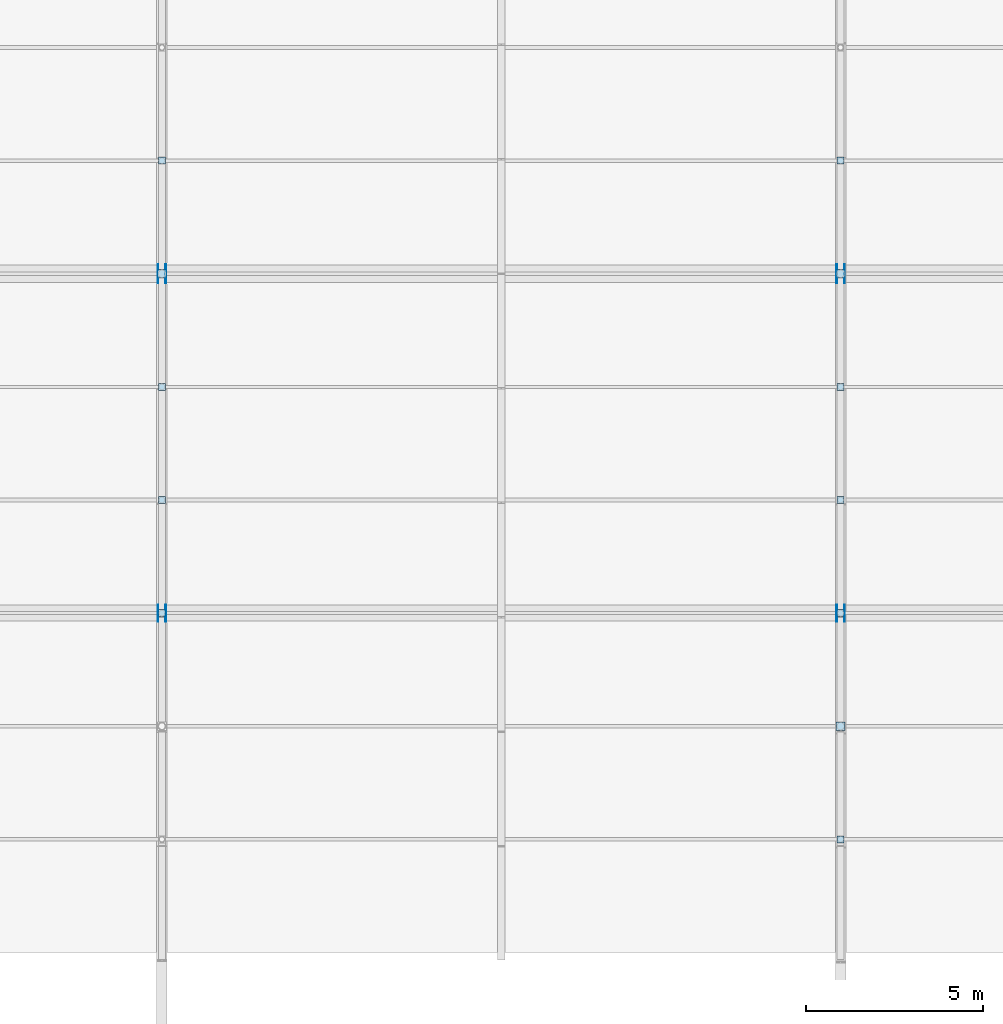
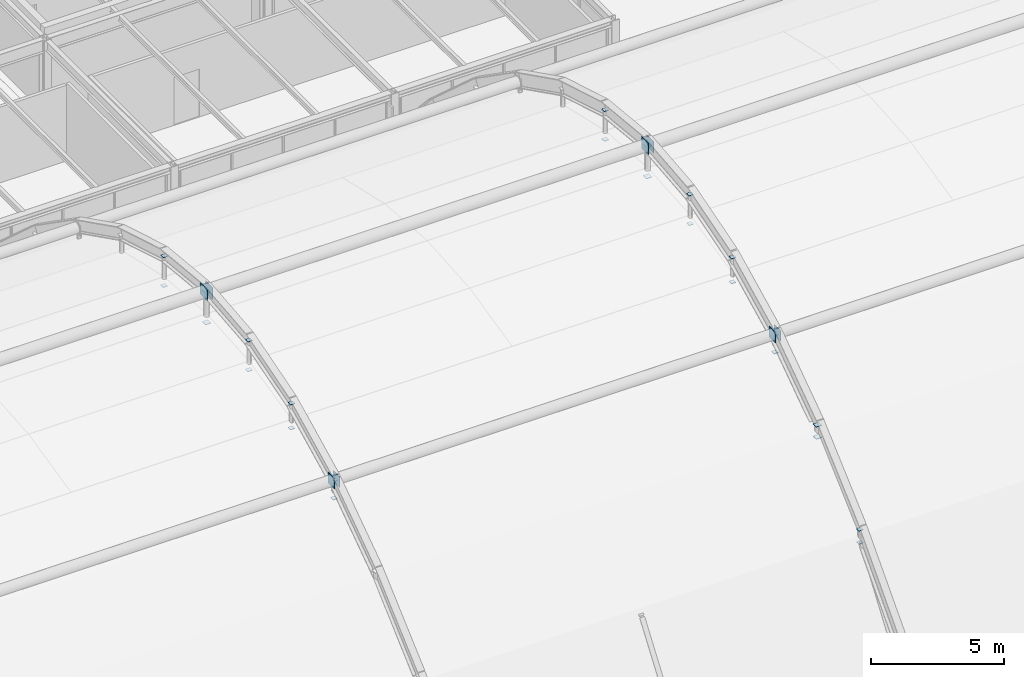
# One storey, part 112 of 126: 32 plates.
"""IFC4 building model written with IfcOpenShell, lengths in metres."""

from ifc_helpers import new_model, si_unit, direction, frame, origin, origin_2d, place, context, subcontext, project, spatial, rectangle, extrude, material, layer, layer_set, type_object, element, save


model = new_model("IFC4")

# Units and contexts
model_context = context("Model", 3, precision=1e-05, world=origin(), true_north=direction((0.0, 1.0)))
body_context = subcontext(model_context, "Body", "Model", "MODEL_VIEW")
ifc_project = project(units=[si_unit("LENGTHUNIT", "METRE"), si_unit("AREAUNIT", "SQUARE_METRE"), si_unit("VOLUMEUNIT", "CUBIC_METRE"), si_unit("PLANEANGLEUNIT", "RADIAN"), si_unit("MASSUNIT", "GRAM", prefix="KILO")], contexts=[model_context])

# Site, building, storey
site_placement = place(None, origin())
site = spatial("IfcSite", under=ifc_project, at=site_placement, CompositionType="ELEMENT")
building_placement = place(site_placement, origin())
building = spatial("IfcBuilding", under=site, at=building_placement, Name="Coralgate Yard Interchange", CompositionType="ELEMENT")
storey_placement = place(building_placement, frame((0.0, 0.0, 10.5)))
storey = spatial("IfcBuildingStorey", under=building, at=storey_placement, Name="L02", CompositionType="ELEMENT", Elevation=10.5)

# Plates
ifc_material = material(Name="Yellow-ochre weather-coated structural steel S355J2", Category="steel")
ifc_layer = layer(ifc_material, 0.02392578125)
ifc_layer_set = layer_set([ifc_layer], Name="Yellow-ochre weather-coated structural steel S355J2")
plate_type = type_object("IfcPlateType", Name="PLT-EP-24", PredefinedType="USERDEFINED", material=ifc_layer_set)
for number, where, z_axis, x_axis, name in (
    (1, (67.199951171875, 48.0, 10.22314453125), (0.0, 0.0, 1.0), (1.0, 0.0, 0.0), "Steel hollow section end cap plate CAP-HGR-2-03-T"),
    (2, (67.199951171875, 48.0, 9.41455078125), (0.0, 0.0, -1.0), (1.0, 0.0, 0.0), "Steel hollow section end cap plate CAP-HGR-2-03-B"),
    (3, (67.199951171875, 51.199951171875, 11.8203125), (0.0, 0.0, 1.0), (1.0, 0.0, 0.0), "Steel hollow section end cap plate CAP-HGR-2-04-T"),
    (4, (67.199951171875, 51.199951171875, 10.7021484375), (0.0, 0.0, -1.0), (1.0, 0.0, 0.0), "Steel hollow section end cap plate CAP-HGR-2-04-B"),
    (5, (67.199951171875, 54.39990234375, 12.778564453125), (0.0, 0.0, 1.0), (1.0, 0.0, 0.0), "Steel hollow section end cap plate CAP-HGR-2-05-T"),
    (6, (67.199951171875, 54.39990234375, 11.437255859375), (0.0, 0.0, -1.0), (1.0, 0.0, 0.0), "Steel hollow section end cap plate CAP-HGR-2-05-B"),
):
    element("IfcPlate", number, at=place(storey_placement, frame(where, z_axis=z_axis, x_axis=x_axis)), inside=storey, type_object=plate_type, Name=name, ObjectType="CAP PLATE", PredefinedType="USERDEFINED", context=body_context, shape_type="SweptSolid", body=[
        extrude(rectangle(XDim=0.197998046875, YDim=0.197998046875, at=origin_2d()), origin(), (0.0, 0.0, 1.0), 0.02392578125),
    ])
for number, where, z_axis, x_axis, name in (
    (7, (67.199951171875, 57.60009765625, 13.09814453125), (0.0, 0.0, 1.0), (1.0, 0.0, 0.0), "Steel hollow section end cap plate CAP-HGR-2-06-T"),
    (8, (67.199951171875, 57.60009765625, 11.6767578125), (0.0, 0.0, -1.0), (1.0, 0.0, 0.0), "Steel hollow section end cap plate CAP-HGR-2-06-B"),
):
    element("IfcPlate", number, at=place(storey_placement, frame(where, z_axis=z_axis, x_axis=x_axis)), inside=storey, type_object=plate_type, Name=name, ObjectType="CAP PLATE", PredefinedType="USERDEFINED", context=body_context, shape_type="SweptSolid", body=[
        extrude(rectangle(XDim=0.2490234375, YDim=0.2490234375, at=origin_2d()), origin(), (0.0, 0.0, 1.0), 0.02392578125),
    ])
for number, where, z_axis, x_axis, name in (
    (9, (67.199951171875, 60.800048828125, 12.778564453125), (0.0, 0.0, 1.0), (1.0, 0.0, 0.0), "Steel hollow section end cap plate CAP-HGR-2-07-T"),
    (10, (67.199951171875, 60.800048828125, 11.437255859375), (0.0, 0.0, -1.0), (1.0, 0.0, 0.0), "Steel hollow section end cap plate CAP-HGR-2-07-B"),
    (11, (86.39990234375, 41.60009765625, 5.11181640625), (0.0, 0.0, 1.0), (1.0, 0.0, 0.0), "Steel hollow section end cap plate CAP-HGR-3-01-T"),
    (12, (86.39990234375, 41.60009765625, 4.5380859375), (0.0, 0.0, -1.0), (1.0, 0.0, 0.0), "Steel hollow section end cap plate CAP-HGR-3-01-B"),
):
    element("IfcPlate", number, at=place(storey_placement, frame(where, z_axis=z_axis, x_axis=x_axis)), inside=storey, type_object=plate_type, Name=name, ObjectType="CAP PLATE", PredefinedType="USERDEFINED", context=body_context, shape_type="SweptSolid", body=[
        extrude(rectangle(XDim=0.197998046875, YDim=0.197998046875, at=origin_2d()), origin(), (0.0, 0.0, 1.0), 0.02392578125),
    ])
for number, where, z_axis, x_axis, name in (
    (13, (86.39990234375, 44.800048828125, 7.98681640625), (0.0, 0.0, 1.0), (1.0, 0.0, 0.0), "Steel hollow section end cap plate CAP-HGR-3-02-T"),
    (14, (86.39990234375, 44.800048828125, 7.451171875), (0.0, 0.0, -1.0), (1.0, 0.0, 0.0), "Steel hollow section end cap plate CAP-HGR-3-02-B"),
):
    element("IfcPlate", number, at=place(storey_placement, frame(where, z_axis=z_axis, x_axis=x_axis)), inside=storey, type_object=plate_type, Name=name, ObjectType="CAP PLATE", PredefinedType="USERDEFINED", context=body_context, shape_type="SweptSolid", body=[
        extrude(rectangle(XDim=0.2490234375, YDim=0.2490234375, at=origin_2d()), origin(), (0.0, 0.0, 1.0), 0.02392578125),
    ])
for number, where, z_axis, x_axis, name in (
    (15, (86.39990234375, 48.0, 10.22314453125), (0.0, 0.0, 1.0), (1.0, 0.0, 0.0), "Steel hollow section end cap plate CAP-HGR-3-03-T"),
    (16, (86.39990234375, 48.0, 9.41455078125), (0.0, 0.0, -1.0), (1.0, 0.0, 0.0), "Steel hollow section end cap plate CAP-HGR-3-03-B"),
    (17, (86.39990234375, 51.199951171875, 11.8203125), (0.0, 0.0, 1.0), (1.0, 0.0, 0.0), "Steel hollow section end cap plate CAP-HGR-3-04-T"),
    (18, (86.39990234375, 51.199951171875, 10.7021484375), (0.0, 0.0, -1.0), (1.0, 0.0, 0.0), "Steel hollow section end cap plate CAP-HGR-3-04-B"),
    (19, (86.39990234375, 54.39990234375, 12.778564453125), (0.0, 0.0, 1.0), (1.0, 0.0, 0.0), "Steel hollow section end cap plate CAP-HGR-3-05-T"),
    (20, (86.39990234375, 54.39990234375, 11.437255859375), (0.0, 0.0, -1.0), (1.0, 0.0, 0.0), "Steel hollow section end cap plate CAP-HGR-3-05-B"),
):
    element("IfcPlate", number, at=place(storey_placement, frame(where, z_axis=z_axis, x_axis=x_axis)), inside=storey, type_object=plate_type, Name=name, ObjectType="CAP PLATE", PredefinedType="USERDEFINED", context=body_context, shape_type="SweptSolid", body=[
        extrude(rectangle(XDim=0.197998046875, YDim=0.197998046875, at=origin_2d()), origin(), (0.0, 0.0, 1.0), 0.02392578125),
    ])
for number, where, z_axis, x_axis, name in (
    (21, (86.39990234375, 57.60009765625, 13.09814453125), (0.0, 0.0, 1.0), (1.0, 0.0, 0.0), "Steel hollow section end cap plate CAP-HGR-3-06-T"),
    (22, (86.39990234375, 57.60009765625, 11.6767578125), (0.0, 0.0, -1.0), (1.0, 0.0, 0.0), "Steel hollow section end cap plate CAP-HGR-3-06-B"),
):
    element("IfcPlate", number, at=place(storey_placement, frame(where, z_axis=z_axis, x_axis=x_axis)), inside=storey, type_object=plate_type, Name=name, ObjectType="CAP PLATE", PredefinedType="USERDEFINED", context=body_context, shape_type="SweptSolid", body=[
        extrude(rectangle(XDim=0.2490234375, YDim=0.2490234375, at=origin_2d()), origin(), (0.0, 0.0, 1.0), 0.02392578125),
    ])
for number, where, z_axis, x_axis, name in (
    (23, (86.39990234375, 60.800048828125, 12.778564453125), (0.0, 0.0, 1.0), (1.0, 0.0, 0.0), "Steel hollow section end cap plate CAP-HGR-3-07-T"),
    (24, (86.39990234375, 60.800048828125, 11.437255859375), (0.0, 0.0, -1.0), (1.0, 0.0, 0.0), "Steel hollow section end cap plate CAP-HGR-3-07-B"),
):
    element("IfcPlate", number, at=place(storey_placement, frame(where, z_axis=z_axis, x_axis=x_axis)), inside=storey, type_object=plate_type, Name=name, ObjectType="CAP PLATE", PredefinedType="USERDEFINED", context=body_context, shape_type="SweptSolid", body=[
        extrude(rectangle(XDim=0.197998046875, YDim=0.197998046875, at=origin_2d()), origin(), (0.0, 0.0, 1.0), 0.02392578125),
    ])
plate_1_placement = place(storey_placement, frame((67.078125, 57.60009765625, 13.1201171875), z_axis=(1.0, 0.0, 0.0), x_axis=(0.0, 1.0, 0.0)))
element("IfcPlate", 25, at=plate_1_placement, inside=storey, type_object=plate_type, Name="Steel hollow section end cap plate CAP-ATIE-1-C-1", ObjectType="CAP PLATE", PredefinedType="USERDEFINED", context=body_context, shape_type="SweptSolid", body=[
    extrude(rectangle(XDim=0.5380859375, YDim=0.5380859375, at=origin_2d()), origin(), (0.0, 0.0, 1.0), 0.02392578125),
])
plate_2_placement = place(storey_placement, frame((67.078125, 48.0, 10.25), z_axis=(1.0, 0.0, 0.0), x_axis=(0.0, 1.0, 0.0)))
element("IfcPlate", 26, at=plate_2_placement, inside=storey, type_object=plate_type, Name="Steel hollow section end cap plate CAP-ATIE-1-S-1", ObjectType="CAP PLATE", PredefinedType="USERDEFINED", context=body_context, shape_type="SweptSolid", body=[
    extrude(rectangle(XDim=0.487060546875, YDim=0.487060546875, at=origin_2d()), origin(), (0.0, 0.0, 1.0), 0.02392578125),
])
for number, where, z_axis, x_axis, name in (
    (27, (67.322021484375, 57.60009765625, 13.1201171875), (-1.0, 0.0, 0.0), (0.0, -1.0, 0.0), "Steel hollow section end cap plate CAP-ATIE-2-C-0"),
    (28, (86.278076171875, 57.60009765625, 13.1201171875), (1.0, 0.0, 0.0), (0.0, 1.0, 0.0), "Steel hollow section end cap plate CAP-ATIE-2-C-1"),
):
    element("IfcPlate", number, at=place(storey_placement, frame(where, z_axis=z_axis, x_axis=x_axis)), inside=storey, type_object=plate_type, Name=name, ObjectType="CAP PLATE", PredefinedType="USERDEFINED", context=body_context, shape_type="SweptSolid", body=[
        extrude(rectangle(XDim=0.5380859375, YDim=0.5380859375, at=origin_2d()), origin(), (0.0, 0.0, 1.0), 0.02392578125),
    ])
for number, where, z_axis, x_axis, name in (
    (29, (67.322021484375, 48.0, 10.25), (-1.0, 0.0, 0.0), (0.0, -1.0, 0.0), "Steel hollow section end cap plate CAP-ATIE-2-S-0"),
    (30, (86.278076171875, 48.0, 10.25), (1.0, 0.0, 0.0), (0.0, 1.0, 0.0), "Steel hollow section end cap plate CAP-ATIE-2-S-1"),
):
    element("IfcPlate", number, at=place(storey_placement, frame(where, z_axis=z_axis, x_axis=x_axis)), inside=storey, type_object=plate_type, Name=name, ObjectType="CAP PLATE", PredefinedType="USERDEFINED", context=body_context, shape_type="SweptSolid", body=[
        extrude(rectangle(XDim=0.487060546875, YDim=0.487060546875, at=origin_2d()), origin(), (0.0, 0.0, 1.0), 0.02392578125),
    ])
plate_3_placement = place(storey_placement, frame((86.52197265625, 57.60009765625, 13.1201171875), z_axis=(-1.0, 0.0, 0.0), x_axis=(0.0, -1.0, 0.0)))
element("IfcPlate", 31, at=plate_3_placement, inside=storey, type_object=plate_type, Name="Steel hollow section end cap plate CAP-ATIE-3-C-0", ObjectType="CAP PLATE", PredefinedType="USERDEFINED", context=body_context, shape_type="SweptSolid", body=[
    extrude(rectangle(XDim=0.5380859375, YDim=0.5380859375, at=origin_2d()), origin(), (0.0, 0.0, 1.0), 0.02392578125),
])
plate_4_placement = place(storey_placement, frame((86.52197265625, 48.0, 10.25), z_axis=(-1.0, 0.0, 0.0), x_axis=(0.0, -1.0, 0.0)))
element("IfcPlate", 32, at=plate_4_placement, inside=storey, type_object=plate_type, Name="Steel hollow section end cap plate CAP-ATIE-3-S-0", ObjectType="CAP PLATE", PredefinedType="USERDEFINED", context=body_context, shape_type="SweptSolid", body=[
    extrude(rectangle(XDim=0.487060546875, YDim=0.487060546875, at=origin_2d()), origin(), (0.0, 0.0, 1.0), 0.02392578125),
])

save(model, "model.ifc")
